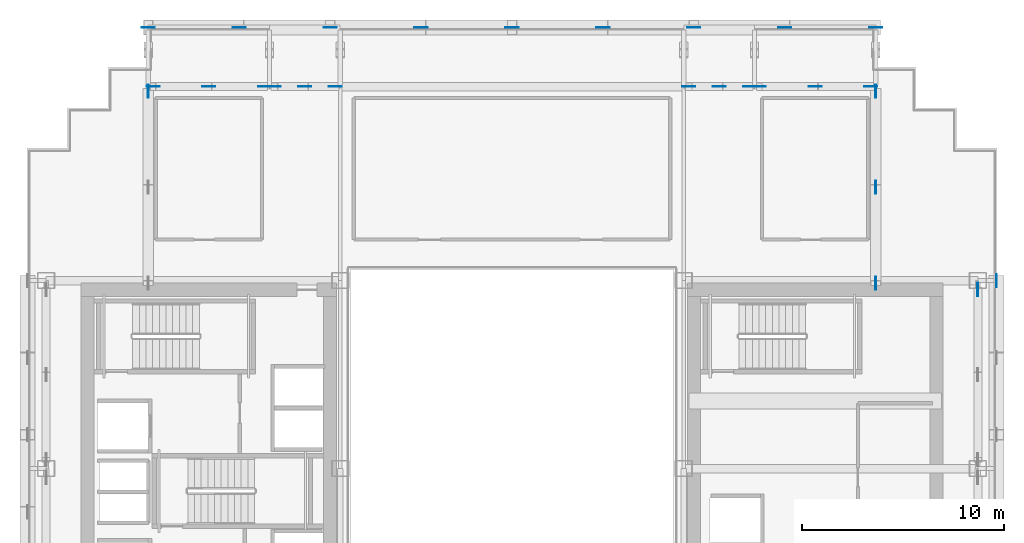
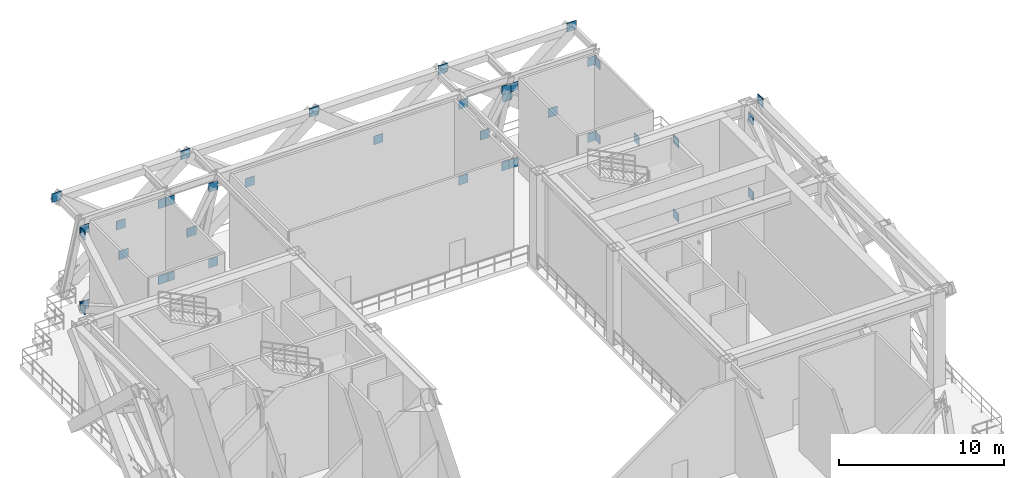
# One storey, part 6 of 14: 39 plates.
"""IFC4 building model written with IfcOpenShell, lengths in metres."""

from ifc_helpers import new_model, si_unit, direction, frame, origin, origin_2d, place, context, subcontext, project, spatial, rectangle, extrude, source, transform, mapped, material, layer, layer_set, type_object, element, save


model = new_model("IFC4")

# Units and contexts
model_context = context("Model", 3, precision=1e-05, world=origin(), true_north=direction((0.0, 1.0)))
body_context = subcontext(model_context, "Body", "Model", "MODEL_VIEW")
ifc_project = project(units=[si_unit("LENGTHUNIT", "METRE"), si_unit("AREAUNIT", "SQUARE_METRE"), si_unit("VOLUMEUNIT", "CUBIC_METRE"), si_unit("PLANEANGLEUNIT", "RADIAN"), si_unit("MASSUNIT", "GRAM", prefix="KILO")], contexts=[model_context])

# Site, building, storey
site_placement = place(None, origin())
site = spatial("IfcSite", under=ifc_project, at=site_placement, CompositionType="ELEMENT")
building_placement = place(site_placement, origin())
building = spatial("IfcBuilding", under=site, at=building_placement, Name="Ocotamira Hotel", CompositionType="ELEMENT")
storey_placement = place(building_placement, frame((0.0, 0.0, 151.199951171875)))
storey = spatial("IfcBuildingStorey", under=building, at=storey_placement, Name="L38", CompositionType="ELEMENT", Elevation=151.199951171875)

# Plates
ifc_material = material(Name="Pale-metal coated steel ASTM A572 Grade 50", Category="steel")
ifc_layer = layer(ifc_material, 0.0400390625)
ifc_layer_set = layer_set([ifc_layer], Name="Pale-metal coated steel ASTM A572 Grade 50")
plate_type = type_object("IfcPlateType", Name="PLT-GUSSET-40", PredefinedType="SHEET", material=ifc_layer_set)
shared_shape_1 = source(origin(), body_context, "Body", "SweptSolid", [
    extrude(rectangle(XDim=0.64990234375, YDim=0.0400390625, at=origin_2d()), origin(), (0.0, 0.0, 1.0), 0.64990234375),
])
for number, where, z_axis, x_axis, name in (
    (1, (14.239990234375, 47.050048828125, 0.025146484375), (0.0, 0.0, 1.0), (1.0, 0.0, 0.0), "L38 Belt Truss Diagonal 14,47.05 A End Gusset A"),
    (2, (19.760009765625, 47.050048828125, 5.635009765625), (0.0, 0.0, 1.0), (1.0, 0.0, 0.0), "L38 Belt Truss Diagonal 14,47.05 A End Gusset B"),
    (3, (17.0, 47.050048828125, 2.830078125), (0.0, 0.0, 1.0), (1.0, 0.0, 0.0), "L38 Belt Truss Diagonal 14,47.05 B Crossing Gusset Plate"),
    (4, (14.239990234375, 47.050048828125, 5.635009765625), (0.0, 0.0, 1.0), (1.0, 0.0, 0.0), "L38 Belt Truss Diagonal 14,47.05 B End Gusset A"),
    (5, (19.760009765625, 47.050048828125, 0.025146484375), (0.0, 0.0, 1.0), (1.0, 0.0, 0.0), "L38 Belt Truss Diagonal 14,47.05 B End Gusset B"),
    (6, (20.239990234375, 47.050048828125, 0.025146484375), (0.0, 0.0, 1.0), (1.0, 0.0, 0.0), "L38 Belt Truss Diagonal 20,47.05 A End Gusset A"),
    (7, (23.260009765625, 47.050048828125, 5.635009765625), (0.0, 0.0, 1.0), (1.0, 0.0, 0.0), "L38 Belt Truss Diagonal 20,47.05 A End Gusset B"),
    (8, (21.75, 47.050048828125, 2.830078125), (0.0, 0.0, 1.0), (1.0, 0.0, 0.0), "L38 Belt Truss Diagonal 20,47.05 B Crossing Gusset Plate"),
    (9, (20.239990234375, 47.050048828125, 5.635009765625), (0.0, 0.0, 1.0), (1.0, 0.0, 0.0), "L38 Belt Truss Diagonal 20,47.05 B End Gusset A"),
    (10, (23.260009765625, 47.050048828125, 0.025146484375), (0.0, 0.0, 1.0), (1.0, 0.0, 0.0), "L38 Belt Truss Diagonal 20,47.05 B End Gusset B"),
    (11, (40.739990234375, 47.050048828125, 0.025146484375), (0.0, 0.0, 1.0), (1.0, 0.0, 0.0), "L38 Belt Truss Diagonal 40.5,47.05 A End Gusset A"),
    (12, (43.760009765625, 47.050048828125, 5.635009765625), (0.0, 0.0, 1.0), (1.0, 0.0, 0.0), "L38 Belt Truss Diagonal 40.5,47.05 A End Gusset B"),
    (13, (42.25, 47.050048828125, 2.830078125), (0.0, 0.0, 1.0), (1.0, 0.0, 0.0), "L38 Belt Truss Diagonal 40.5,47.05 B Crossing Gusset Plate"),
    (14, (40.739990234375, 47.050048828125, 5.635009765625), (0.0, 0.0, 1.0), (1.0, 0.0, 0.0), "L38 Belt Truss Diagonal 40.5,47.05 B End Gusset A"),
    (15, (43.760009765625, 47.050048828125, 0.025146484375), (0.0, 0.0, 1.0), (1.0, 0.0, 0.0), "L38 Belt Truss Diagonal 40.5,47.05 B End Gusset B"),
    (16, (44.239990234375, 47.050048828125, 0.025146484375), (0.0, 0.0, 1.0), (1.0, 0.0, 0.0), "L38 Belt Truss Diagonal 44,47.05 A End Gusset A"),
    (17, (49.760009765625, 47.050048828125, 5.635009765625), (0.0, 0.0, 1.0), (1.0, 0.0, 0.0), "L38 Belt Truss Diagonal 44,47.05 A End Gusset B"),
    (18, (47.0, 47.050048828125, 2.830078125), (0.0, 0.0, 1.0), (1.0, 0.0, 0.0), "L38 Belt Truss Diagonal 44,47.05 B Crossing Gusset Plate"),
    (19, (44.239990234375, 47.050048828125, 5.635009765625), (0.0, 0.0, 1.0), (1.0, 0.0, 0.0), "L38 Belt Truss Diagonal 44,47.05 B End Gusset A"),
    (20, (49.760009765625, 47.050048828125, 0.025146484375), (0.0, 0.0, 1.0), (1.0, 0.0, 0.0), "L38 Belt Truss Diagonal 44,47.05 B End Gusset B"),
    (21, (23.0, 49.969970703125, 6.34521484375), (0.0, 0.0, 1.0), (1.0, 0.0, 0.0), "L38 Exoskeleton Diagrid N0.1 End Gusset B"),
    (22, (18.5, 49.969970703125, 2.72509765625), (0.0, 0.0, 1.0), (-1.0, 0.0, 0.0), "L38 Exoskeleton Diagrid N0.2 Crossing Gusset Plate"),
    (23, (14.0, 49.969970703125, 6.34521484375), (0.0, 0.0, 1.0), (-1.0, 0.0, 0.0), "L38 Exoskeleton Diagrid N0.2 End Gusset B"),
    (24, (32.0, 49.969970703125, 6.34521484375), (0.0, 0.0, 1.0), (1.0, 0.0, 0.0), "L38 Exoskeleton Diagrid N1.1 End Gusset B"),
    (25, (27.5, 49.969970703125, 2.72509765625), (0.0, 0.0, 1.0), (-1.0, 0.0, 0.0), "L38 Exoskeleton Diagrid N1.2 Crossing Gusset Plate"),
    (26, (41.0, 49.969970703125, 6.34521484375), (0.0, 0.0, 1.0), (1.0, 0.0, 0.0), "L38 Exoskeleton Diagrid N2.1 End Gusset B"),
    (27, (36.5, 49.969970703125, 2.72509765625), (0.0, 0.0, 1.0), (-1.0, 0.0, 0.0), "L38 Exoskeleton Diagrid N2.2 Crossing Gusset Plate"),
    (28, (50.0, 49.969970703125, 6.34521484375), (0.0, 0.0, 1.0), (1.0, 0.0, 0.0), "L38 Exoskeleton Diagrid N3.1 End Gusset B"),
    (29, (45.5, 49.969970703125, 2.72509765625), (0.0, 0.0, 1.0), (-1.0, 0.0, 0.0), "L38 Exoskeleton Diagrid N3.2 Crossing Gusset Plate"),
):
    element("IfcPlate", number, at=place(storey_placement, frame(where, z_axis=z_axis, x_axis=x_axis)), inside=storey, type_object=plate_type, Name=name, PredefinedType="SHEET", context=body_context, shape_type="MappedRepresentation", body=[
        mapped(shared_shape_1, transform((0.0, 0.0, 0.0), scale=1.0)),
    ])
shared_shape_2 = source(origin(), body_context, "Body", "SweptSolid", [
    extrude(rectangle(XDim=0.0400390625, YDim=0.64990234375, at=origin_2d()), origin(), (0.0, 0.0, 1.0), 0.64990234375),
])
for number, where, z_axis, x_axis, name in (
    (30, (14.0, 46.820068359375, 5.51513671875), (0.0, 0.0, 1.0), (1.0, 0.0, 0.0), "L38 Outrigger Truss N X14 A End Gusset B"),
    (31, (14.0, 46.820068359375, 0.025146484375), (0.0, 0.0, 1.0), (1.0, 0.0, 0.0), "L38 Outrigger Truss N X14 B End Gusset B"),
    (32, (50.0, 37.324951171875, 0.025146484375), (0.0, 0.0, 1.0), (1.0, 0.0, 0.0), "L38 Outrigger Truss N X50 A End Gusset A"),
    (33, (50.0, 46.820068359375, 5.51513671875), (0.0, 0.0, 1.0), (1.0, 0.0, 0.0), "L38 Outrigger Truss N X50 A End Gusset B"),
    (34, (50.0, 42.072509765625, 2.77001953125), (0.0, 0.0, 1.0), (1.0, 0.0, 0.0), "L38 Outrigger Truss N X50 B Crossing Gusset Plate"),
    (35, (50.0, 37.324951171875, 5.51513671875), (0.0, 0.0, 1.0), (1.0, 0.0, 0.0), "L38 Outrigger Truss N X50 B End Gusset A"),
    (36, (50.0, 46.820068359375, 0.025146484375), (0.0, 0.0, 1.0), (1.0, 0.0, 0.0), "L38 Outrigger Truss N X50 B End Gusset B"),
    (37, (55.050048828125, 37.010009765625, 5.635009765625), (0.0, 0.0, 1.0), (1.0, 0.0, 0.0), "L38 Belt Truss Diagonal 55.05,28.15 A End Gusset B"),
    (38, (55.050048828125, 37.010009765625, 0.025146484375), (0.0, 0.0, 1.0), (1.0, 0.0, 0.0), "L38 Belt Truss Diagonal 55.05,28.15 B End Gusset B"),
    (39, (55.969970703125, 37.449951171875, 6.34521484375), (0.0, 0.0, 1.0), (1.0, 0.0, 0.0), "L38 Exoskeleton Diagrid E2.1 End Gusset B"),
):
    element("IfcPlate", number, at=place(storey_placement, frame(where, z_axis=z_axis, x_axis=x_axis)), inside=storey, type_object=plate_type, Name=name, PredefinedType="SHEET", context=body_context, shape_type="MappedRepresentation", body=[
        mapped(shared_shape_2, transform((0.0, 0.0, 0.0), scale=1.0)),
    ])

save(model, "model.ifc")
